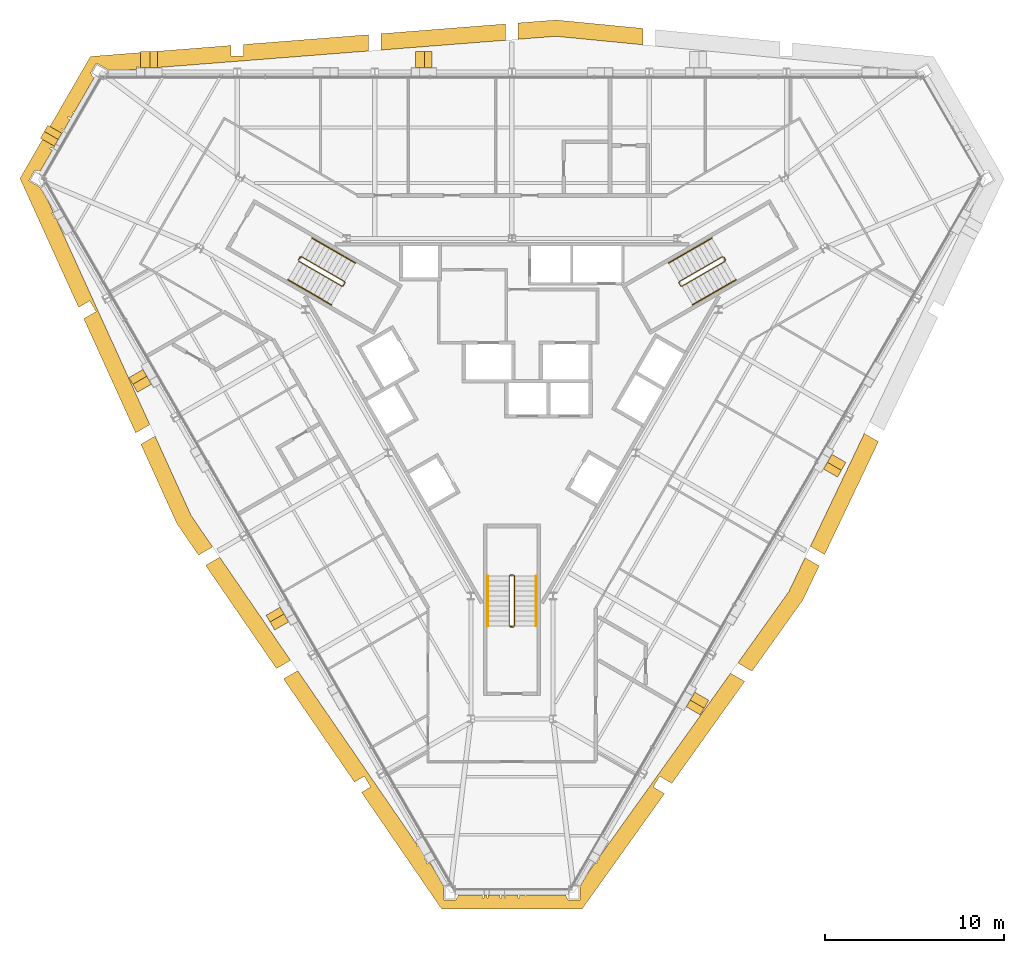
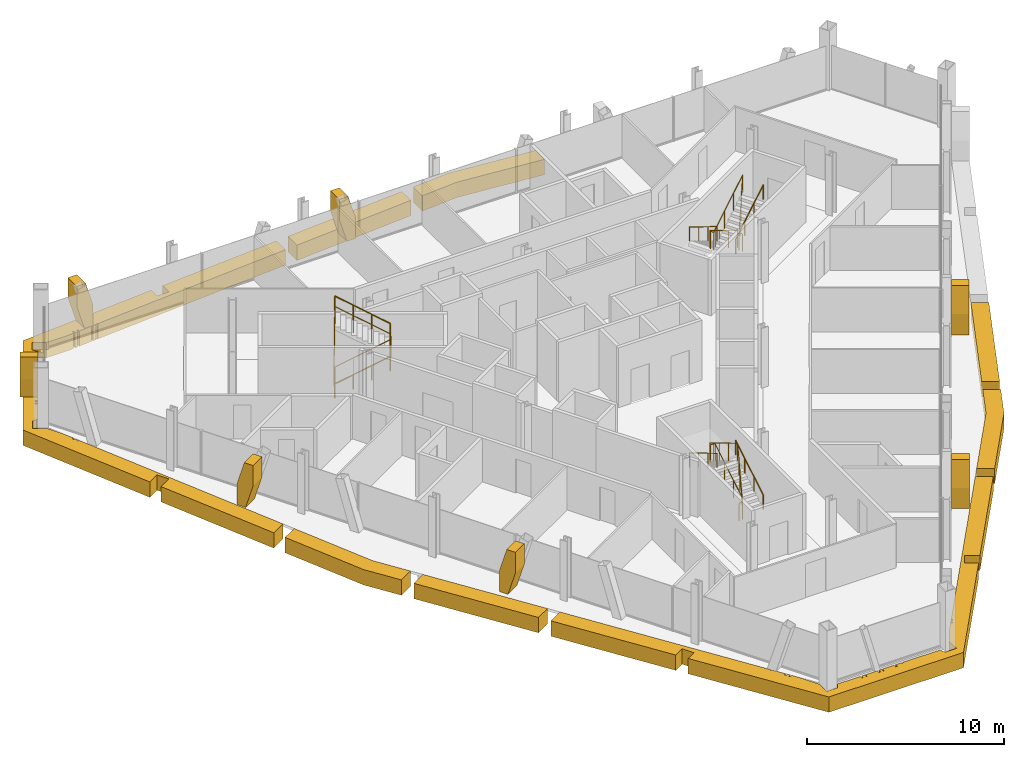
# One storey, part 12 of 13: 15 coverings, 9 railings.
"""IFC4 building model written with IfcOpenShell, lengths in metres."""

from ifc_helpers import new_model, si_unit, direction, frame, origin, origin_2d, place, context, subcontext, project, spatial, polyline, circle, outline, extrude, material, layer, layer_set, type_object, element, save


model = new_model("IFC4")

# Units and contexts
model_context = context("Model", 3, precision=1e-05, world=origin(), true_north=direction((0.0, 1.0)))
body_context = subcontext(model_context, "Body", "Model", "MODEL_VIEW")
ifc_project = project(units=[si_unit("LENGTHUNIT", "METRE"), si_unit("AREAUNIT", "SQUARE_METRE"), si_unit("VOLUMEUNIT", "CUBIC_METRE"), si_unit("PLANEANGLEUNIT", "RADIAN"), si_unit("MASSUNIT", "GRAM", prefix="KILO")], contexts=[model_context])

# Site, building, storey
site_placement = place(None, origin())
site = spatial("IfcSite", under=ifc_project, at=site_placement, CompositionType="ELEMENT")
building_placement = place(site_placement, origin())
building = spatial("IfcBuilding", under=site, at=building_placement, Name="Verrane Prism Tower", CompositionType="ELEMENT")
storey_placement = place(building_placement, frame((0.0, 0.0, 163.60009765625)))
storey = spatial("IfcBuildingStorey", under=building, at=storey_placement, Name="L40", CompositionType="ELEMENT", Elevation=163.60009765625)

# Railings
ifc_material_1 = material(Name="Steel A36 rail and posts, no infill", Category="steel")
railing_type_1 = type_object("IfcRailingType", Name="Stair guard 1100 steel rail and posts", PredefinedType="GUARDRAIL", material=ifc_material_1)
railing_1_placement = place(storey_placement, frame((11.78955078125, 6.97998046875, 0.16796875)))
element("IfcRailing", 1, at=railing_1_placement, inside=storey, type_object=railing_type_1, Name="Stair 1 guard", PredefinedType="GUARDRAIL", context=body_context, shape_type="SweptSolid", body=[
    extrude(circle(Radius=0.02392578125, at=origin_2d()), frame((0.0, 0.0, 1.076171875), z_axis=(-0.742366697286, -0.42866220388, 0.514917859203), x_axis=(0.500049511043, -0.865996816683, 0.0)), (0.0, 0.0, 1.0), 3.266357421875),
    extrude(circle(Radius=0.02392578125, at=origin_2d()), frame((-2.4248046875, -1.400146484375, 2.7578125), z_axis=(-0.259601060869, -0.965715946433, 0.0), x_axis=(0.965715946433, -0.259601060869, 0.0)), (0.0, 0.0, 1.0), 0.070556640625),
    extrude(circle(Radius=0.02392578125, at=origin_2d()), frame((-2.443115234375, -1.46826171875, 2.7578125), z_axis=(0.499158860599, -0.866510491504, 0.0), x_axis=(0.866510491504, 0.499158860599, 0.0)), (0.0, 0.0, 1.0), 0.199951171875),
    extrude(circle(Radius=0.02392578125, at=origin_2d()), frame((-2.34326171875, -1.6416015625, 2.7578125), z_axis=(0.374585375571, -0.100335368456, 0.921747584887), x_axis=(0.258736085224, 0.965948051503, 0.0)), (0.0, 0.0, 1.0), 0.182373046875),
    extrude(circle(Radius=0.02392578125, at=origin_2d()), frame((-2.27490234375, -1.659912109375, 2.92626953125), z_axis=(0.742366697286, 0.42866220388, 0.514917859203), x_axis=(-0.500049511043, 0.865996816683, 0.0)), (0.0, 0.0, 1.0), 3.266357421875),
    extrude(circle(Radius=0.02392578125, at=origin_2d()), frame((0.14990234375, -0.259765625, 4.60791015625), z_axis=(-0.021986835041, 0.065104730107, -0.997636182785), x_axis=(-0.947430582667, -0.3199613899, 0.0)), (0.0, 0.0, 1.0), 3.708740234375),
    extrude(circle(Radius=0.02392578125, at=origin_2d()), frame((0.068359375, -0.018310546875, 0.908203125), z_axis=(0.499158860599, -0.866510491504, 0.0), x_axis=(0.866510491504, 0.499158860599, 0.0)), (0.0, 0.0, 1.0), 0.199951171875),
    extrude(circle(Radius=0.02099609375, at=origin_2d()), origin(), (0.0, 0.0, 1.0), 1.052001953125),
    extrude(circle(Radius=0.02099609375, at=origin_2d()), frame((-0.808349609375, -0.466796875, 0.560546875)), (0.0, 0.0, 1.0), 1.052001953125),
    extrude(circle(Radius=0.02099609375, at=origin_2d()), frame((-1.616455078125, -0.933349609375, 1.121337890625)), (0.0, 0.0, 1.0), 1.052001953125),
    extrude(circle(Radius=0.02099609375, at=origin_2d()), frame((-2.4248046875, -1.400146484375, 1.681884765625)), (0.0, 0.0, 1.0), 1.052001953125),
    extrude(circle(Radius=0.02099609375, at=origin_2d()), frame((-2.443115234375, -1.46826171875, 1.681884765625)), (0.0, 0.0, 1.0), 1.052001953125),
    extrude(circle(Radius=0.02099609375, at=origin_2d()), frame((-2.34326171875, -1.6416015625, 1.681884765625)), (0.0, 0.0, 1.0), 1.052001953125),
    extrude(circle(Radius=0.02099609375, at=origin_2d()), frame((-2.27490234375, -1.659912109375, 1.85009765625)), (0.0, 0.0, 1.0), 1.052001953125),
    extrude(circle(Radius=0.02099609375, at=origin_2d()), frame((-1.466552734375, -1.193115234375, 2.41064453125)), (0.0, 0.0, 1.0), 1.052001953125),
    extrude(circle(Radius=0.02099609375, at=origin_2d()), frame((-0.658447265625, -0.7265625, 2.971435546875)), (0.0, 0.0, 1.0), 1.052001953125),
    extrude(circle(Radius=0.02099609375, at=origin_2d()), frame((0.14990234375, -0.259765625, 3.531982421875)), (0.0, 0.0, 1.0), 1.052001953125),
    extrude(circle(Radius=0.02099609375, at=origin_2d()), frame((0.12939453125, -0.199462890625, 2.60693359375)), (0.0, 0.0, 1.0), 1.052001953125),
    extrude(circle(Radius=0.02099609375, at=origin_2d()), frame((0.109130859375, -0.13916015625, 1.68212890625)), (0.0, 0.0, 1.0), 1.052001953125),
    extrude(circle(Radius=0.02099609375, at=origin_2d()), frame((0.0888671875, -0.07861328125, 0.757080078125)), (0.0, 0.0, 1.0), 1.052001953125),
    extrude(circle(Radius=0.02099609375, at=origin_2d()), frame((0.068359375, -0.018310546875, -0.16796875)), (0.0, 0.0, 1.0), 1.052001953125),
    extrude(circle(Radius=0.02099609375, at=origin_2d()), frame((0.168212890625, -0.191650390625, -0.16796875)), (0.0, 0.0, 1.0), 1.052001953125),
])
railing_2_placement = place(storey_placement, frame((-11.939453125, 6.72021484375, 0.16796875)))
element("IfcRailing", 2, at=railing_2_placement, inside=storey, type_object=railing_type_1, Name="Stair 2 guard", PredefinedType="GUARDRAIL", context=body_context, shape_type="SweptSolid", body=[
    extrude(circle(Radius=0.02392578125, at=origin_2d()), frame((0.0, 0.0, 1.076171875), z_axis=(0.742366697286, -0.42866220388, 0.514917859203), x_axis=(0.500049511043, 0.865996816683, 0.0)), (0.0, 0.0, 1.0), 3.266357421875),
    extrude(circle(Radius=0.02392578125, at=origin_2d()), frame((2.4248046875, -1.400146484375, 2.7578125), z_axis=(0.965948051503, 0.258736085224, 0.0), x_axis=(-0.258736085224, 0.965948051503, 0.0)), (0.0, 0.0, 1.0), 0.07080078125),
    extrude(circle(Radius=0.02392578125, at=origin_2d()), frame((2.4931640625, -1.3818359375, 2.7578125), z_axis=(0.499158860599, 0.866510491504, 0.0), x_axis=(-0.866510491504, 0.499158860599, 0.0)), (0.0, 0.0, 1.0), 0.199951171875),
    extrude(circle(Radius=0.02392578125, at=origin_2d()), frame((2.593017578125, -1.20849609375, 2.7578125), z_axis=(-0.100385596638, 0.373434419493, 0.922209014446), x_axis=(-0.965715946433, -0.259601060869, 0.0)), (0.0, 0.0, 1.0), 0.182373046875),
    extrude(circle(Radius=0.02392578125, at=origin_2d()), frame((2.57470703125, -1.140380859375, 2.92626953125), z_axis=(-0.742366697286, 0.42866220388, 0.514917859203), x_axis=(-0.500049511043, -0.865996816683, 0.0)), (0.0, 0.0, 1.0), 3.266357421875),
    extrude(circle(Radius=0.02392578125, at=origin_2d()), frame((0.14990234375, 0.259765625, 4.60791015625), z_axis=(-0.04535595117, -0.051675503147, -0.99763343973), x_axis=(0.751567565678, -0.659656118156, 0.0)), (0.0, 0.0, 1.0), 3.708740234375),
    extrude(circle(Radius=0.02392578125, at=origin_2d()), frame((-0.018310546875, 0.068115234375, 0.908203125), z_axis=(0.499158860599, 0.866510491504, 0.0), x_axis=(-0.866510491504, 0.499158860599, 0.0)), (0.0, 0.0, 1.0), 0.199951171875),
    extrude(circle(Radius=0.02099609375, at=origin_2d()), origin(), (0.0, 0.0, 1.0), 1.052001953125),
    extrude(circle(Radius=0.02099609375, at=origin_2d()), frame((0.808349609375, -0.466796875, 0.560546875)), (0.0, 0.0, 1.0), 1.052001953125),
    extrude(circle(Radius=0.02099609375, at=origin_2d()), frame((1.616455078125, -0.933349609375, 1.121337890625)), (0.0, 0.0, 1.0), 1.052001953125),
    extrude(circle(Radius=0.02099609375, at=origin_2d()), frame((2.4248046875, -1.400146484375, 1.681884765625)), (0.0, 0.0, 1.0), 1.052001953125),
    extrude(circle(Radius=0.02099609375, at=origin_2d()), frame((2.4931640625, -1.3818359375, 1.681884765625)), (0.0, 0.0, 1.0), 1.052001953125),
    extrude(circle(Radius=0.02099609375, at=origin_2d()), frame((2.593017578125, -1.20849609375, 1.681884765625)), (0.0, 0.0, 1.0), 1.052001953125),
    extrude(circle(Radius=0.02099609375, at=origin_2d()), frame((2.57470703125, -1.140380859375, 1.85009765625)), (0.0, 0.0, 1.0), 1.052001953125),
    extrude(circle(Radius=0.02099609375, at=origin_2d()), frame((1.766357421875, -0.673583984375, 2.41064453125)), (0.0, 0.0, 1.0), 1.052001953125),
    extrude(circle(Radius=0.02099609375, at=origin_2d()), frame((0.958251953125, -0.20703125, 2.971435546875)), (0.0, 0.0, 1.0), 1.052001953125),
    extrude(circle(Radius=0.02099609375, at=origin_2d()), frame((0.14990234375, 0.259765625, 3.531982421875)), (0.0, 0.0, 1.0), 1.052001953125),
    extrude(circle(Radius=0.02099609375, at=origin_2d()), frame((0.10791015625, 0.2119140625, 2.60693359375)), (0.0, 0.0, 1.0), 1.052001953125),
    extrude(circle(Radius=0.02099609375, at=origin_2d()), frame((0.06591796875, 0.1640625, 1.68212890625)), (0.0, 0.0, 1.0), 1.052001953125),
    extrude(circle(Radius=0.02099609375, at=origin_2d()), frame((0.023681640625, 0.115966796875, 0.757080078125)), (0.0, 0.0, 1.0), 1.052001953125),
    extrude(circle(Radius=0.02099609375, at=origin_2d()), frame((-0.018310546875, 0.068115234375, -0.16796875)), (0.0, 0.0, 1.0), 1.052001953125),
    extrude(circle(Radius=0.02099609375, at=origin_2d()), frame((0.08154296875, 0.241455078125, -0.16796875)), (0.0, 0.0, 1.0), 1.052001953125),
])
railing_3_placement = place(storey_placement, frame((0.14990234375, -13.699951171875, 0.16796875)))
element("IfcRailing", 3, at=railing_3_placement, inside=storey, type_object=railing_type_1, Name="Stair 3 guard", PredefinedType="GUARDRAIL", context=body_context, shape_type="SweptSolid", body=[
    extrude(circle(Radius=0.02392578125, at=origin_2d()), frame((0.0, 0.0, 1.076171875), z_axis=(0.0, 0.857242210791, 0.514913383045), x_axis=(-1.0, 0.0, 0.0)), (0.0, 0.0, 1.0), 3.266357421875),
    extrude(circle(Radius=0.02392578125, at=origin_2d()), frame((0.0, 2.800048828125, 2.7578125), z_axis=(-0.707106781187, 0.707106781187, 0.0), x_axis=(-0.707106781187, -0.707106781187, 0.0)), (0.0, 0.0, 1.0), 0.0703125),
    extrude(circle(Radius=0.02392578125, at=origin_2d()), frame((-0.0498046875, 2.849853515625, 2.7578125), z_axis=(-1.0, 0.0, 0.0), x_axis=(0.0, -1.0, 0.0)), (0.0, 0.0, 1.0), 0.2001953125),
    extrude(circle(Radius=0.02392578125, at=origin_2d()), frame((-0.25, 2.849853515625, 2.7578125), z_axis=(-0.273106073848, -0.273106073848, 0.922402376869), x_axis=(0.707106781187, -0.707106781187, 0.0)), (0.0, 0.0, 1.0), 0.182373046875),
    extrude(circle(Radius=0.02392578125, at=origin_2d()), frame((-0.2998046875, 2.800048828125, 2.92626953125), z_axis=(0.0, -0.857242210791, 0.514913383045), x_axis=(1.0, 0.0, 0.0)), (0.0, 0.0, 1.0), 3.266357421875),
    extrude(circle(Radius=0.02392578125, at=origin_2d()), frame((-0.2998046875, 0.0, 4.60791015625), z_axis=(0.067408604812, -0.013494886706, -0.997634185476), x_axis=(0.196300278283, 0.98054382908, 0.0)), (0.0, 0.0, 1.0), 3.708740234375),
    extrude(circle(Radius=0.02392578125, at=origin_2d()), frame((-0.0498046875, -0.050048828125, 0.908203125), z_axis=(-1.0, 0.0, 0.0), x_axis=(0.0, -1.0, 0.0)), (0.0, 0.0, 1.0), 0.2001953125),
    extrude(circle(Radius=0.02099609375, at=origin_2d()), origin(), (0.0, 0.0, 1.0), 1.052001953125),
    extrude(circle(Radius=0.02099609375, at=origin_2d()), frame((0.0, 0.933349609375, 0.560546875)), (0.0, 0.0, 1.0), 1.052001953125),
    extrude(circle(Radius=0.02099609375, at=origin_2d()), frame((0.0, 1.86669921875, 1.121337890625)), (0.0, 0.0, 1.0), 1.052001953125),
    extrude(circle(Radius=0.02099609375, at=origin_2d()), frame((0.0, 2.800048828125, 1.681884765625)), (0.0, 0.0, 1.0), 1.052001953125),
    extrude(circle(Radius=0.02099609375, at=origin_2d()), frame((-0.0498046875, 2.849853515625, 1.681884765625)), (0.0, 0.0, 1.0), 1.052001953125),
    extrude(circle(Radius=0.02099609375, at=origin_2d()), frame((-0.25, 2.849853515625, 1.681884765625)), (0.0, 0.0, 1.0), 1.052001953125),
    extrude(circle(Radius=0.02099609375, at=origin_2d()), frame((-0.2998046875, 2.800048828125, 1.85009765625)), (0.0, 0.0, 1.0), 1.052001953125),
    extrude(circle(Radius=0.02099609375, at=origin_2d()), frame((-0.2998046875, 1.86669921875, 2.41064453125)), (0.0, 0.0, 1.0), 1.052001953125),
    extrude(circle(Radius=0.02099609375, at=origin_2d()), frame((-0.2998046875, 0.933349609375, 2.971435546875)), (0.0, 0.0, 1.0), 1.052001953125),
    extrude(circle(Radius=0.02099609375, at=origin_2d()), frame((-0.2998046875, 0.0, 3.531982421875)), (0.0, 0.0, 1.0), 1.052001953125),
    extrude(circle(Radius=0.02099609375, at=origin_2d()), frame((-0.2373046875, -0.012451171875, 2.60693359375)), (0.0, 0.0, 1.0), 1.052001953125),
    extrude(circle(Radius=0.02099609375, at=origin_2d()), frame((-0.1748046875, -0.02490234375, 1.68212890625)), (0.0, 0.0, 1.0), 1.052001953125),
    extrude(circle(Radius=0.02099609375, at=origin_2d()), frame((-0.1123046875, -0.03759765625, 0.757080078125)), (0.0, 0.0, 1.0), 1.052001953125),
    extrude(circle(Radius=0.02099609375, at=origin_2d()), frame((-0.0498046875, -0.050048828125, -0.16796875)), (0.0, 0.0, 1.0), 1.052001953125),
    extrude(circle(Radius=0.02099609375, at=origin_2d()), frame((-0.25, -0.050048828125, -0.16796875)), (0.0, 0.0, 1.0), 1.052001953125),
])
ifc_material_2 = material(Name="Steel A36 tube", Category="steel")
railing_type_2 = type_object("IfcRailingType", Name="Stair handrail 900 steel tube", PredefinedType="HANDRAIL", material=ifc_material_2)
railing_4_placement = place(storey_placement, frame((11.189453125, 8.01904296875, 0.16796875)))
element("IfcRailing", 4, at=railing_4_placement, inside=storey, type_object=railing_type_2, Name="Stair 1 handrail", PredefinedType="HANDRAIL", context=body_context, shape_type="SweptSolid", body=[
    extrude(circle(Radius=0.02392578125, at=origin_2d()), frame((0.0, 0.0, 0.8759765625), z_axis=(-0.742390482028, -0.42860119049, 0.514934356695), x_axis=(0.49998411664, -0.866034573852, 0.0)), (0.0, 0.0, 1.0), 3.26611328125),
    extrude(circle(Radius=0.02099609375, at=origin_2d()), origin(), (0.0, 0.0, 1.0), 0.851806640625),
    extrude(circle(Radius=0.02099609375, at=origin_2d()), frame((-0.808349609375, -0.466552734375, 0.560546875)), (0.0, 0.0, 1.0), 0.851806640625),
    extrude(circle(Radius=0.02099609375, at=origin_2d()), frame((-1.616455078125, -0.933349609375, 1.121337890625)), (0.0, 0.0, 1.0), 0.851806640625),
    extrude(circle(Radius=0.02099609375, at=origin_2d()), frame((-2.4248046875, -1.39990234375, 1.681884765625)), (0.0, 0.0, 1.0), 0.851806640625),
])
railing_5_placement = place(storey_placement, frame((10.11474609375, 4.28076171875, 2.01806640625)))
element("IfcRailing", 5, at=railing_5_placement, inside=storey, type_object=railing_type_2, Name="Stair 1 handrail", PredefinedType="HANDRAIL", context=body_context, shape_type="SweptSolid", body=[
    extrude(circle(Radius=0.02392578125, at=origin_2d()), frame((0.0, 0.0, 0.8759765625), z_axis=(0.742366697286, 0.42866220388, 0.514917859203), x_axis=(-0.500049511043, 0.865996816683, 0.0)), (0.0, 0.0, 1.0), 3.266357421875),
    extrude(circle(Radius=0.02099609375, at=origin_2d()), origin(), (0.0, 0.0, 1.0), 0.851806640625),
    extrude(circle(Radius=0.02099609375, at=origin_2d()), frame((0.808349609375, 0.466796875, 0.560546875)), (0.0, 0.0, 1.0), 0.851806640625),
    extrude(circle(Radius=0.02099609375, at=origin_2d()), frame((1.616455078125, 0.933349609375, 1.121337890625)), (0.0, 0.0, 1.0), 0.851806640625),
    extrude(circle(Radius=0.02099609375, at=origin_2d()), frame((2.4248046875, 1.400146484375, 1.681884765625)), (0.0, 0.0, 1.0), 0.851806640625),
])
railing_6_placement = place(storey_placement, frame((-12.53955078125, 5.680908203125, 0.16796875)))
element("IfcRailing", 6, at=railing_6_placement, inside=storey, type_object=railing_type_2, Name="Stair 2 handrail", PredefinedType="HANDRAIL", context=body_context, shape_type="SweptSolid", body=[
    extrude(circle(Radius=0.02392578125, at=origin_2d()), frame((0.0, 0.0, 0.8759765625), z_axis=(0.742366697286, -0.42866220388, 0.514917859203), x_axis=(0.500049511043, 0.865996816683, 0.0)), (0.0, 0.0, 1.0), 3.266357421875),
    extrude(circle(Radius=0.02099609375, at=origin_2d()), origin(), (0.0, 0.0, 1.0), 0.851806640625),
    extrude(circle(Radius=0.02099609375, at=origin_2d()), frame((0.808349609375, -0.466796875, 0.560546875)), (0.0, 0.0, 1.0), 0.851806640625),
    extrude(circle(Radius=0.02099609375, at=origin_2d()), frame((1.616455078125, -0.933349609375, 1.121337890625)), (0.0, 0.0, 1.0), 0.851806640625),
    extrude(circle(Radius=0.02099609375, at=origin_2d()), frame((2.4248046875, -1.400146484375, 1.681884765625)), (0.0, 0.0, 1.0), 0.851806640625),
])
railing_7_placement = place(storey_placement, frame((-8.7646484375, 6.619140625, 2.01806640625)))
element("IfcRailing", 7, at=railing_7_placement, inside=storey, type_object=railing_type_2, Name="Stair 2 handrail", PredefinedType="HANDRAIL", context=body_context, shape_type="SweptSolid", body=[
    extrude(circle(Radius=0.02392578125, at=origin_2d()), frame((0.0, 0.0, 0.8759765625), z_axis=(-0.742390482028, 0.42860119049, 0.514934356695), x_axis=(-0.49998411664, -0.866034573852, 0.0)), (0.0, 0.0, 1.0), 3.26611328125),
    extrude(circle(Radius=0.02099609375, at=origin_2d()), origin(), (0.0, 0.0, 1.0), 0.851806640625),
    extrude(circle(Radius=0.02099609375, at=origin_2d()), frame((-0.808349609375, 0.466552734375, 0.560546875)), (0.0, 0.0, 1.0), 0.851806640625),
    extrude(circle(Radius=0.02099609375, at=origin_2d()), frame((-1.616455078125, 0.933349609375, 1.121337890625)), (0.0, 0.0, 1.0), 0.851806640625),
    extrude(circle(Radius=0.02099609375, at=origin_2d()), frame((-2.4248046875, 1.39990234375, 1.681884765625)), (0.0, 0.0, 1.0), 0.851806640625),
])
railing_8_placement = place(storey_placement, frame((1.35009765625, -13.699951171875, 0.16796875)))
element("IfcRailing", 8, at=railing_8_placement, inside=storey, type_object=railing_type_2, Name="Stair 3 handrail", PredefinedType="HANDRAIL", context=body_context, shape_type="SweptSolid", body=[
    extrude(circle(Radius=0.02392578125, at=origin_2d()), frame((0.0, 0.0, 0.8759765625), z_axis=(0.0, 0.857242210791, 0.514913383045), x_axis=(-1.0, 0.0, 0.0)), (0.0, 0.0, 1.0), 3.266357421875),
    extrude(circle(Radius=0.02099609375, at=origin_2d()), origin(), (0.0, 0.0, 1.0), 0.851806640625),
    extrude(circle(Radius=0.02099609375, at=origin_2d()), frame((0.0, 0.933349609375, 0.560546875)), (0.0, 0.0, 1.0), 0.851806640625),
    extrude(circle(Radius=0.02099609375, at=origin_2d()), frame((0.0, 1.86669921875, 1.121337890625)), (0.0, 0.0, 1.0), 0.851806640625),
    extrude(circle(Radius=0.02099609375, at=origin_2d()), frame((0.0, 2.800048828125, 1.681884765625)), (0.0, 0.0, 1.0), 0.851806640625),
])
railing_9_placement = place(storey_placement, frame((-1.35009765625, -10.89990234375, 2.01806640625)))
element("IfcRailing", 9, at=railing_9_placement, inside=storey, type_object=railing_type_2, Name="Stair 3 handrail", PredefinedType="HANDRAIL", context=body_context, shape_type="SweptSolid", body=[
    extrude(circle(Radius=0.02392578125, at=origin_2d()), frame((0.0, 0.0, 0.8759765625), z_axis=(0.0, -0.857242210791, 0.514913383045), x_axis=(1.0, 0.0, 0.0)), (0.0, 0.0, 1.0), 3.266357421875),
    extrude(circle(Radius=0.02099609375, at=origin_2d()), origin(), (0.0, 0.0, 1.0), 0.851806640625),
    extrude(circle(Radius=0.02099609375, at=origin_2d()), frame((0.0, -0.933349609375, 0.560546875)), (0.0, 0.0, 1.0), 0.851806640625),
    extrude(circle(Radius=0.02099609375, at=origin_2d()), frame((0.0, -1.86669921875, 1.121337890625)), (0.0, 0.0, 1.0), 0.851806640625),
    extrude(circle(Radius=0.02099609375, at=origin_2d()), frame((0.0, -2.800048828125, 1.681884765625)), (0.0, 0.0, 1.0), 0.851806640625),
])

# Coverings
ifc_material_3 = material(Name="Warm limestone cladding", Category="masonry")
ifc_layer_1 = layer(ifc_material_3, 0.89990234375)
ifc_layer_set_1 = layer_set([ifc_layer_1], Name="Stone brace fin 900")
covering_type_1 = type_object("IfcCoveringType", Name="Stone brace fin 900", PredefinedType="CLADDING", material=ifc_layer_set_1)
for number, where, z_axis, x_axis, name in (
    (10, (-4.46337890625, 18.013916015625, 0.0), (0.0, 0.0, 1.0), (-1.0, 0.0, 0.0), "Stone brace fin N4 L40"),
    (11, (-19.833251953125, 18.013916015625, 0.0), (0.0, 0.0, 1.0), (-1.0, 0.0, 0.0), "Stone brace fin N6 L40"),
):
    element("IfcCovering", number, at=place(storey_placement, frame(where, z_axis=z_axis, x_axis=x_axis)), inside=storey, type_object=covering_type_1, Name=name, PredefinedType="CLADDING", context=body_context, shape_type="SweptSolid", body=[
        extrude(outline(polyline([(0.94775390625, 2.75), (0.434814453125, 2.75), (0.0, 1.283203125), (0.0, 0.0), (0.509033203125, 0.0), (0.94775390625, 1.4794921875), (0.94775390625, 2.75)])), frame((0.0, 0.449951171875, 0.0), z_axis=(0.0, -1.0, 0.0), x_axis=(1.0, 0.0, 0.0)), (0.0, 0.0, 1.0), 0.89990234375),
    ])
covering_1_placement = place(storey_placement, frame((-21.048095703125, 0.43310546875, 0.0), z_axis=(0.0, 0.0, 1.0), x_axis=(0.500101590855, -0.865966742331, 0.0)))
element("IfcCovering", 12, at=covering_1_placement, inside=storey, type_object=covering_type_1, Name="Stone brace fin SW2 L40", PredefinedType="CLADDING", context=body_context, shape_type="SweptSolid", body=[
    extrude(outline(polyline([(0.947509765625, 2.75), (0.434814453125, 2.75), (0.0, 1.283203125), (0.0, 0.0), (0.509033203125, 0.0), (0.947509765625, 1.4794921875), (0.947509765625, 2.75)])), frame((0.0, 0.449951171875, 0.0), z_axis=(0.0, -1.0, 0.0), x_axis=(1.0, 0.0, 0.0)), (0.0, 0.0, 1.0), 0.89990234375),
])
covering_2_placement = place(storey_placement, frame((-13.368408203125, -12.872314453125, 0.0), z_axis=(0.0, 0.0, 1.0), x_axis=(0.499737304943, -0.866177017733, 0.0)))
element("IfcCovering", 13, at=covering_2_placement, inside=storey, type_object=covering_type_1, Name="Stone brace fin SW4 L40", PredefinedType="CLADDING", context=body_context, shape_type="SweptSolid", body=[
    extrude(outline(polyline([(0.94873046875, 2.75), (0.435302734375, 2.75), (0.0, 1.283203125), (0.0, 0.0), (0.509521484375, 0.0), (0.94873046875, 1.4794921875), (0.94873046875, 2.75)])), frame((0.0, 0.449951171875, 0.0), z_axis=(0.0, -1.0, 0.0), x_axis=(1.0, 0.0, 0.0)), (0.0, 0.0, 1.0), 0.89990234375),
])
for number, where, z_axis, x_axis, name in (
    (14, (10.151123046875, -18.447509765625, 0.0), (0.0, 0.0, 1.0), (0.499990030109, 0.866031159827, 0.0), "Stone brace fin SE2 L40"),
    (15, (17.831298828125, -5.137451171875, 0.0), (0.0, 0.0, 1.0), (0.500101590855, 0.865966742331, 0.0), "Stone brace fin SE4 L40"),
):
    element("IfcCovering", number, at=place(storey_placement, frame(where, z_axis=z_axis, x_axis=x_axis)), inside=storey, type_object=covering_type_1, Name=name, PredefinedType="CLADDING", context=body_context, shape_type="SweptSolid", body=[
        extrude(outline(polyline([(0.947509765625, 2.75), (0.434814453125, 2.75), (0.0, 1.283203125), (0.0, 0.0), (0.509033203125, 0.0), (0.947509765625, 1.4794921875), (0.947509765625, 2.75)])), frame((0.0, 0.449951171875, 0.0), z_axis=(0.0, -1.0, 0.0), x_axis=(1.0, 0.0, 0.0)), (0.0, 0.0, 1.0), 0.89990234375),
    ])
covering_3_placement = place(storey_placement, frame((-25.5888671875, 14.107666015625, 0.0), z_axis=(0.0, 0.0, 1.0), x_axis=(-0.4986640027, -0.866795369399, 0.0)))
element("IfcCovering", 16, at=covering_3_placement, inside=storey, type_object=covering_type_1, Name="Stone brace fin NW1 L40", PredefinedType="CLADDING", context=body_context, shape_type="SweptSolid", body=[
    extrude(outline(polyline([(0.832275390625, 2.75), (0.399658203125, 2.75), (0.0, 1.25732421875), (0.0, 0.0), (0.466552734375, 0.0), (0.832275390625, 1.365478515625), (0.832275390625, 2.75)])), frame((0.0, 0.449951171875, 0.0), z_axis=(0.0, -1.0, 0.0), x_axis=(1.0, 0.0, 0.0)), (0.0, 0.0, 1.0), 0.89990234375),
])
ifc_material_4 = material(Name="Warm limestone cladding", Category="masonry")
ifc_layer_2 = layer(ifc_material_4, 0.449951171875)
ifc_layer_set_2 = layer_set([ifc_layer_2], Name="Stone spandrel band 450")
covering_type_2 = type_object("IfcCoveringType", Name="Stone spandrel band 450", PredefinedType="CLADDING", material=ifc_layer_set_2)
covering_4_placement = place(storey_placement, frame((0.0, 0.0, -0.9501953125)))
element("IfcCovering", 17, at=covering_4_placement, inside=storey, type_object=covering_type_2, Name="Stone spandrel band L40 part 1", PredefinedType="CLADDING", context=body_context, shape_type="SweptSolid", body=[
    extrude(outline(polyline([(3.93505859375, -29.52490234375), (8.541748046875, -23.077880859375), (7.911865234375, -22.71435546875), (8.261962890625, -22.108154296875), (8.95068359375, -22.505859375), (13.029296875, -16.797607421875), (12.23779296875, -16.3408203125), (4.852783203125, -26.67578125), (4.9130859375, -26.710693359375), (4.8642578125, -26.79541015625), (4.795654296875, -26.755615234375), (4.708251953125, -26.877685546875), (4.78955078125, -26.9248046875), (4.74267578125, -27.006103515625), (4.653564453125, -26.95458984375), (4.268798828125, -27.492919921875), (3.800048828125, -28.304931640625), (3.800048828125, -29.0400390625), (3.139892578125, -29.0400390625), (3.139892578125, -29.01806640625), (3.029296875, -28.828857421875), (3.029296875, -28.748291015625), (0.799560546875, -28.748291015625), (0.822998046875, -28.771240234375), (0.775390625, -28.81982421875), (0.702392578125, -28.748291015625), (0.41650390625, -28.748291015625), (0.41650390625, -28.909912109375), (0.32470703125, -28.909912109375), (0.32470703125, -28.748291015625), (-0.358642578125, -28.748291015625), (-0.358642578125, -28.909912109375), (-0.41650390625, -28.909912109375), (-0.41650390625, -28.748291015625), (-0.574951171875, -28.748291015625), (-0.574951171875, -28.909912109375), (-0.666748046875, -28.909912109375), (-0.666748046875, -28.748291015625), (-1.35009765625, -28.748291015625), (-1.35009765625, -28.909912109375), (-1.407958984375, -28.909912109375), (-1.407958984375, -28.748291015625), (-1.56640625, -28.748291015625), (-1.56640625, -28.909912109375), (-1.658203125, -28.909912109375), (-1.658203125, -28.748291015625), (-3.029296875, -28.748291015625), (-3.029296875, -28.828857421875), (-3.139892578125, -29.01806640625), (-3.139892578125, -29.0400390625), (-3.800048828125, -29.0400390625), (-3.800048828125, -28.304931640625), (-4.432861328125, -27.208984375), (-4.62060546875, -26.935546875), (-4.74267578125, -27.006103515625), (-4.78955078125, -26.9248046875), (-4.673828125, -26.85791015625), (-4.7587890625, -26.734375), (-4.8642578125, -26.79541015625), (-4.9130859375, -26.710693359375), (-4.814208984375, -26.653564453125), (-5.24365234375, -26.028564453125), (-5.291259765625, -26.055908203125), (-5.338134765625, -25.974609375), (-5.296875, -25.950927734375), (-5.4013671875, -25.798583984375), (-5.430419921875, -25.811279296875), (-5.47119140625, -25.716552734375), (-5.4609375, -25.712158203125), (-11.994384765625, -16.2001953125), (-12.78466796875, -16.656494140625), (-8.819091796875, -22.4296875), (-8.261962890625, -22.108154296875), (-7.911865234375, -22.71435546875), (-8.42138671875, -23.008544921875), (-3.94580078125, -29.52490234375), (3.93505859375, -29.52490234375)])), origin(), (0.0, 0.0, 1.0), 0.9501953125),
])
covering_5_placement = place(storey_placement, frame((0.0, 0.0, -0.9501953125)))
element("IfcCovering", 18, at=covering_5_placement, inside=storey, type_object=covering_type_2, Name="Stone spandrel band L40 part 3", PredefinedType="CLADDING", context=body_context, shape_type="SweptSolid", body=[
    extrude(outline(polyline([(-21.06201171875, -2.885009765625), (-20.270263671875, -2.427978515625), (-25.52783203125, 9.134521484375), (-25.58642578125, 9.1005859375), (-25.63525390625, 9.185302734375), (-25.568603515625, 9.223876953125), (-25.630615234375, 9.360595703125), (-25.7099609375, 9.314697265625), (-25.7568359375, 9.39599609375), (-25.669677734375, 9.4462890625), (-25.94384765625, 10.049560546875), (-26.413818359375, 10.86328125), (-27.04736328125, 11.229248046875), (-26.71728515625, 11.80078125), (-26.698486328125, 11.789794921875), (-26.482177734375, 11.789794921875), (-26.412109375, 11.74951171875), (-25.72607421875, 12.937744140625), (-25.86669921875, 13.018798828125), (-25.821044921875, 13.09814453125), (-25.680419921875, 13.01708984375), (-25.60107421875, 13.154296875), (-25.741943359375, 13.235595703125), (-25.713134765625, 13.285400390625), (-25.572265625, 13.204345703125), (-25.230712890625, 13.795654296875), (-25.37255859375, 13.877197265625), (-25.32666015625, 13.956787109375), (-25.184814453125, 13.875), (-25.105712890625, 14.012451171875), (-25.24755859375, 14.093994140625), (-25.21875, 14.14404296875), (-25.076904296875, 14.0625), (-24.7353515625, 14.653564453125), (-24.878173828125, 14.73583984375), (-24.83251953125, 14.815185546875), (-24.689697265625, 14.733154296875), (-24.54833984375, 14.9775390625), (-24.5751953125, 15.081298828125), (-24.50927734375, 15.098388671875), (-24.499755859375, 15.061767578125), (-23.383056640625, 16.99609375), (-23.45751953125, 17.0390625), (-23.568359375, 17.228271484375), (-23.58740234375, 17.2392578125), (-23.25732421875, 17.810791015625), (-22.62109375, 17.443359375), (-21.34716796875, 17.443359375), (-21.0244140625, 17.46875), (-21.0244140625, 17.610107421875), (-20.930419921875, 17.610107421875), (-20.930419921875, 17.47607421875), (-20.781005859375, 17.48779296875), (-20.781005859375, 17.610107421875), (-20.683349609375, 17.610107421875), (-20.683349609375, 17.495361328125), (-19.92724609375, 17.5546875), (-19.92724609375, 17.610107421875), (-19.833251953125, 17.610107421875), (-19.833251953125, 17.56201171875), (-19.6494140625, 17.576416015625), (-19.6455078125, 17.60791015625), (-19.543212890625, 17.59619140625), (-19.54443359375, 17.584716796875), (-8.03271484375, 18.4873046875), (-8.03271484375, 19.39990234375), (-15.01513671875, 18.852294921875), (-15.01513671875, 18.2119140625), (-15.715087890625, 18.2119140625), (-15.715087890625, 18.797607421875), (-23.59619140625, 18.1796875), (-27.536865234375, 11.3544921875), (-24.257080078125, 4.1416015625), (-23.63037109375, 4.50341796875), (-23.280517578125, 3.897216796875), (-23.9658203125, 3.50146484375), (-21.06201171875, -2.885009765625)])), origin(), (0.0, 0.0, 1.0), 0.9501953125),
])
covering_6_placement = place(storey_placement, frame((0.0, 0.0, -0.9501953125)))
element("IfcCovering", 19, at=covering_6_placement, inside=storey, type_object=covering_type_2, Name="Stone spandrel band L40 part 4", PredefinedType="CLADDING", context=body_context, shape_type="SweptSolid", body=[
    extrude(outline(polyline([(-17.545166015625, -9.7255859375), (-16.7548828125, -9.269287109375), (-17.9521484375, -7.52587890625), (-19.979248046875, -3.068115234375), (-20.770751953125, -3.525146484375), (-18.747314453125, -7.97509765625), (-17.545166015625, -9.7255859375)])), origin(), (0.0, 0.0, 1.0), 0.9501953125),
])
covering_7_placement = place(storey_placement, frame((0.0, 0.0, -0.9501953125)))
element("IfcCovering", 20, at=covering_7_placement, inside=storey, type_object=covering_type_2, Name="Stone spandrel band L40 part 5", PredefinedType="CLADDING", context=body_context, shape_type="SweptSolid", body=[
    extrude(outline(polyline([(-12.391845703125, -15.621337890625), (-16.357177734375, -9.847900390625), (-17.147705078125, -10.30419921875), (-13.18212890625, -16.07763671875), (-12.391845703125, -15.621337890625)])), origin(), (0.0, 0.0, 1.0), 0.9501953125),
])
covering_8_placement = place(storey_placement, frame((0.0, 0.0, -0.9501953125)))
element("IfcCovering", 21, at=covering_8_placement, inside=storey, type_object=covering_type_2, Name="Stone spandrel band L40 part 6", PredefinedType="CLADDING", context=body_context, shape_type="SweptSolid", body=[
    extrude(outline(polyline([(16.40478515625, -9.87548828125), (15.49365234375, -11.7841796875), (12.646484375, -15.7685546875), (13.438232421875, -16.2255859375), (16.280517578125, -12.248046875), (17.195068359375, -10.331787109375), (16.40478515625, -9.87548828125)])), origin(), (0.0, 0.0, 1.0), 0.9501953125),
])
covering_9_placement = place(storey_placement, frame((0.0, 0.0, -0.9501953125)))
element("IfcCovering", 22, at=covering_9_placement, inside=storey, type_object=covering_type_2, Name="Stone spandrel band L40 part 7", PredefinedType="CLADDING", context=body_context, shape_type="SweptSolid", body=[
    extrude(outline(polyline([(20.5146484375, -3.377197265625), (19.724365234375, -2.9208984375), (16.707275390625, -9.24169921875), (17.49755859375, -9.697998046875), (20.5146484375, -3.377197265625)])), origin(), (0.0, 0.0, 1.0), 0.9501953125),
])
covering_10_placement = place(storey_placement, frame((0.0, 0.0, -0.9501953125)))
element("IfcCovering", 23, at=covering_10_placement, inside=storey, type_object=covering_type_2, Name="Stone spandrel band L40 part 8", PredefinedType="CLADDING", context=body_context, shape_type="SweptSolid", body=[
    extrude(outline(polyline([(0.35009765625, 20.057373046875), (0.35009765625, 19.144775390625), (2.45849609375, 19.31005859375), (7.33251953125, 18.83642578125), (7.33251953125, 19.75048828125), (2.466796875, 20.223388671875), (0.35009765625, 20.057373046875)])), origin(), (0.0, 0.0, 1.0), 0.9501953125),
])
covering_11_placement = place(storey_placement, frame((0.0, 0.0, -0.9501953125)))
element("IfcCovering", 24, at=covering_11_placement, inside=storey, type_object=covering_type_2, Name="Stone spandrel band L40 part 9", PredefinedType="CLADDING", context=body_context, shape_type="SweptSolid", body=[
    extrude(outline(polyline([(-7.33251953125, 18.542236328125), (-0.35009765625, 19.08984375), (-0.35009765625, 20.00244140625), (-7.33251953125, 19.454833984375), (-7.33251953125, 18.542236328125)])), origin(), (0.0, 0.0, 1.0), 0.9501953125),
])

save(model, "model.ifc")
